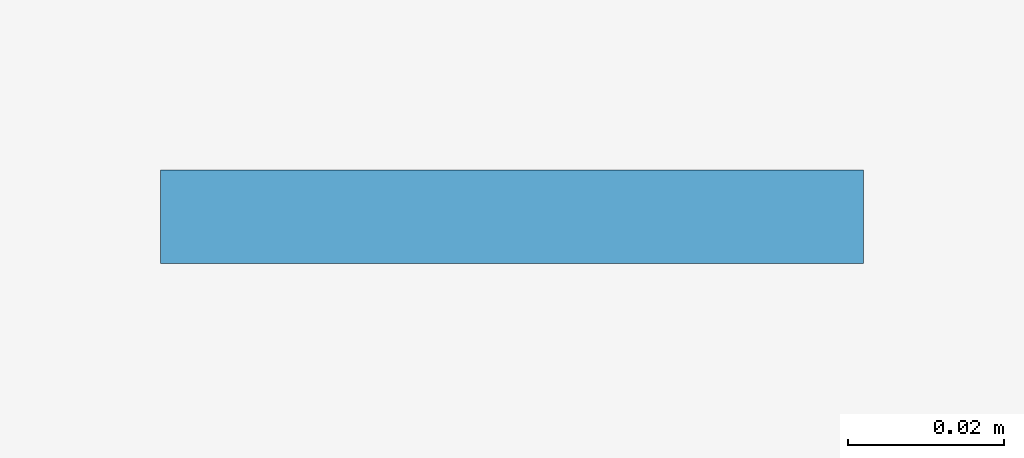
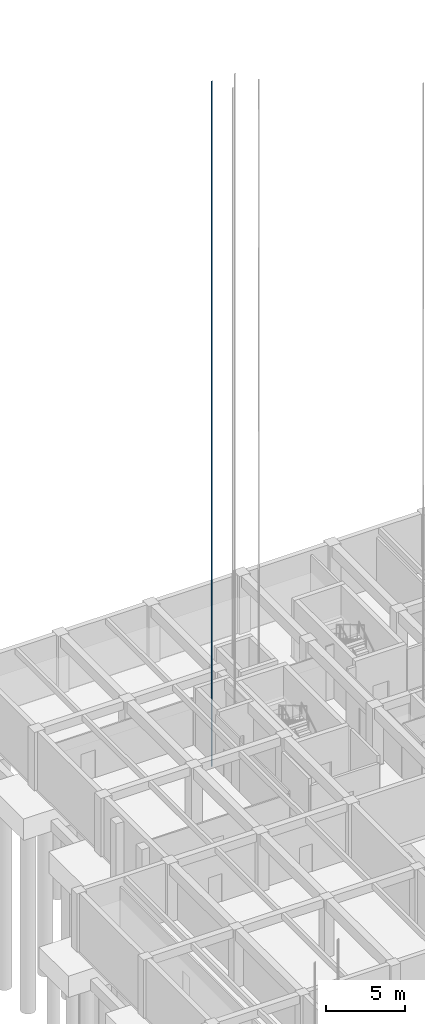
# One storey, part 23 of 44: 1 plate.
"""IFC4 building model written with IfcOpenShell, lengths in metres."""

from ifc_helpers import new_model, si_unit, direction, frame, origin, origin_2d, place, context, subcontext, project, spatial, rectangle, extrude, material, layer, layer_set, type_object, element, save


model = new_model("IFC4")

# Units and contexts
model_context = context("Model", 3, precision=1e-05, world=origin(), true_north=direction((0.0, 1.0)))
body_context = subcontext(model_context, "Body", "Model", "MODEL_VIEW")
ifc_project = project(units=[si_unit("LENGTHUNIT", "METRE"), si_unit("AREAUNIT", "SQUARE_METRE"), si_unit("VOLUMEUNIT", "CUBIC_METRE"), si_unit("PLANEANGLEUNIT", "RADIAN"), si_unit("MASSUNIT", "GRAM", prefix="KILO")], contexts=[model_context])

# Site, building, storey
site_placement = place(None, origin())
site = spatial("IfcSite", under=ifc_project, at=site_placement, CompositionType="ELEMENT")
building_placement = place(site_placement, origin())
building = spatial("IfcBuilding", under=site, at=building_placement, Name="Kolvaren Faculty of Natural Sciences", CompositionType="ELEMENT")
storey_placement = place(building_placement, frame((0.0, 0.0, -4.5)))
storey = spatial("IfcBuildingStorey", under=building, at=storey_placement, Name="B01", CompositionType="ELEMENT", Elevation=-4.5)

# Plate
ifc_material = material(Name="Structural steel EN 10025-2 S355J2", Category="steel")
ifc_layer = layer(ifc_material, 0.011962890625)
ifc_layer_set = layer_set([ifc_layer], Name="Structural steel EN 10025-2 S355J2")
plate_type = type_object("IfcPlateType", Name="LiftGuideRail_T89", PredefinedType="USERDEFINED", material=ifc_layer_set)
plate_placement = place(storey_placement, frame((150.06005859375, 73.14990234375, -0.81982421875), z_axis=(0.0, 0.0, 1.0), x_axis=(1.0, 0.0, 0.0)))
element("IfcPlate", 1, at=plate_placement, inside=storey, type_object=plate_type, Name="Lift FL-2 steel guide rail 1", ObjectType="GUIDE RAIL", PredefinedType="USERDEFINED", context=body_context, shape_type="SweptSolid", body=[
    extrude(rectangle(XDim=0.090087890625, YDim=0.011962890625, at=origin_2d()), origin(), (0.0, 0.0, 1.0), 52.820068359375),
])

save(model, "model.ifc")
